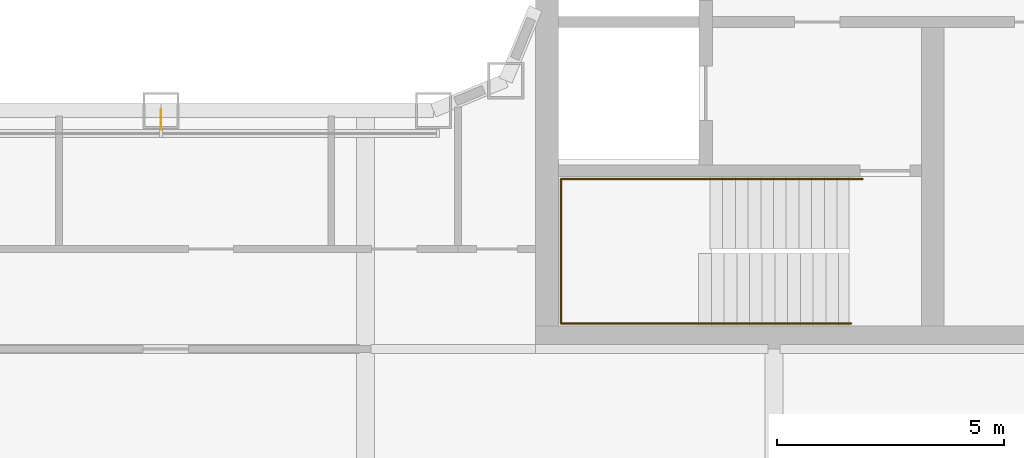
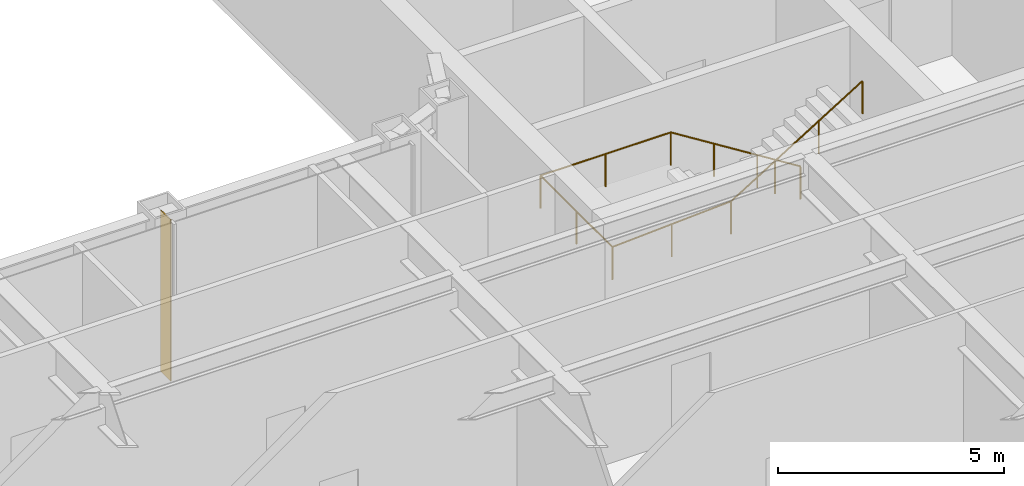
# One storey, part 24 of 28: 1 railing, 1 shading device.
"""IFC4 building model written with IfcOpenShell, lengths in metres."""

from ifc_helpers import new_model, si_unit, direction, frame, origin, origin_2d, place, context, subcontext, project, spatial, rectangle, circle, extrude, material, layer, layer_set, type_object, element, save


model = new_model("IFC4")

# Units and contexts
model_context = context("Model", 3, precision=1e-05, world=origin(), true_north=direction((0.0, 1.0)))
body_context = subcontext(model_context, "Body", "Model", "MODEL_VIEW")
ifc_project = project(units=[si_unit("LENGTHUNIT", "METRE"), si_unit("AREAUNIT", "SQUARE_METRE"), si_unit("VOLUMEUNIT", "CUBIC_METRE"), si_unit("PLANEANGLEUNIT", "RADIAN"), si_unit("MASSUNIT", "GRAM", prefix="KILO")], contexts=[model_context])

# Site, building, storey
site_placement = place(None, origin())
site = spatial("IfcSite", under=ifc_project, at=site_placement, CompositionType="ELEMENT")
building_placement = place(site_placement, origin())
building = spatial("IfcBuilding", under=site, at=building_placement, Name="Siwar Civic Tower", CompositionType="ELEMENT")
storey_placement = place(building_placement, frame((0.0, 0.0, 31.199951171875)))
storey = spatial("IfcBuildingStorey", under=building, at=storey_placement, Name="L06", CompositionType="ELEMENT", Elevation=31.199951171875)

# Railing
ifc_material_1 = material(Name="Stainless steel", Category="steel")
railing_type = type_object("IfcRailingType", Name="CORE-STAIR-HANDRAIL", PredefinedType="HANDRAIL", material=ifc_material_1)
railing_placement = place(storey_placement, frame((15.449951171875, -9.758056640625, 0.173095703125)))
element("IfcRailing", 1, at=railing_placement, inside=storey, type_object=railing_type, Name="Stair handrail ST4", PredefinedType="HANDRAIL", context=body_context, shape_type="SweptSolid", body=[
    extrude(circle(Radius=0.02001953125, at=origin_2d()), frame((0.0, 0.0, 0.8798828125), z_axis=(-0.847063342986, 0.0, 0.531491950051), x_axis=(0.0, -1.0, 0.0)), (0.0, 0.0, 1.0), 3.90771484375),
    extrude(circle(Radius=0.02001953125, at=origin_2d()), frame((-3.31005859375, 0.0, 2.956787109375), z_axis=(-1.0, 0.0, 0.0), x_axis=(0.0, -1.0, 0.0)), (0.0, 0.0, 1.0), 3.331787109375),
    extrude(circle(Radius=0.02001953125, at=origin_2d()), frame((-6.641845703125, 0.0, 2.956787109375), z_axis=(0.0, -1.0, 0.0), x_axis=(1.0, 0.0, 0.0)), (0.0, 0.0, 1.0), 3.183837890625),
    extrude(circle(Radius=0.02001953125, at=origin_2d()), frame((-6.641845703125, -3.183837890625, 2.956787109375), z_axis=(0.99837434197, 0.0, 0.056997134106), x_axis=(0.0, 1.0, 0.0)), (0.0, 0.0, 1.0), 3.036865234375),
    extrude(circle(Radius=0.02001953125, at=origin_2d()), frame((-3.60986328125, -3.183837890625, 3.1298828125), z_axis=(0.850606129759, 0.0, 0.525803396734), x_axis=(0.0, 1.0, 0.0)), (0.0, 0.0, 1.0), 3.949951171875),
    extrude(circle(Radius=0.02001953125, at=origin_2d()), origin(), (0.0, 0.0, 1.0), 0.85986328125),
    extrude(circle(Radius=0.02001953125, at=origin_2d()), frame((-1.103271484375, 0.0, 0.6923828125)), (0.0, 0.0, 1.0), 0.85986328125),
    extrude(circle(Radius=0.02001953125, at=origin_2d()), frame((-2.206787109375, 0.0, 1.384521484375)), (0.0, 0.0, 1.0), 0.85986328125),
    extrude(circle(Radius=0.02001953125, at=origin_2d()), frame((-3.31005859375, 0.0, 2.076904296875)), (0.0, 0.0, 1.0), 0.85986328125),
    extrude(circle(Radius=0.02001953125, at=origin_2d()), frame((-4.97607421875, 0.0, 2.076904296875)), (0.0, 0.0, 1.0), 0.85986328125),
    extrude(circle(Radius=0.02001953125, at=origin_2d()), frame((-6.641845703125, 0.0, 2.076904296875)), (0.0, 0.0, 1.0), 0.85986328125),
    extrude(circle(Radius=0.02001953125, at=origin_2d()), frame((-6.641845703125, -1.591796875, 2.076904296875)), (0.0, 0.0, 1.0), 0.85986328125),
    extrude(circle(Radius=0.02001953125, at=origin_2d()), frame((-6.641845703125, -3.183837890625, 2.076904296875)), (0.0, 0.0, 1.0), 0.85986328125),
    extrude(circle(Radius=0.02001953125, at=origin_2d()), frame((-5.1259765625, -3.183837890625, 2.16357421875)), (0.0, 0.0, 1.0), 0.85986328125),
    extrude(circle(Radius=0.02001953125, at=origin_2d()), frame((-3.60986328125, -3.183837890625, 2.25)), (0.0, 0.0, 1.0), 0.85986328125),
    extrude(circle(Radius=0.02001953125, at=origin_2d()), frame((-2.489990234375, -3.183837890625, 2.9423828125)), (0.0, 0.0, 1.0), 0.85986328125),
    extrude(circle(Radius=0.02001953125, at=origin_2d()), frame((-1.369873046875, -3.183837890625, 3.634521484375)), (0.0, 0.0, 1.0), 0.85986328125),
    extrude(circle(Radius=0.02001953125, at=origin_2d()), frame((-0.25, -3.183837890625, 4.326904296875)), (0.0, 0.0, 1.0), 0.85986328125),
])

# Shading device
ifc_material_2 = material(Name="Aluminium 6063-T6", Category="aluminium")
ifc_layer = layer(ifc_material_2, 0.02001953125)
ifc_layer_set = layer_set([ifc_layer], Name="Aluminium 6063-T6")
shading_device_type = type_object("IfcShadingDeviceType", Name="ENV-FIN", PredefinedType="JALOUSIE", material=ifc_layer_set)
shading_device_placement = place(storey_placement, frame((0.0, -8.445068359375, 0.0), z_axis=(0.0, 0.0, 1.0), x_axis=(1.0, 0.0, 0.0)))
element("IfcShadingDevice", 2, at=shading_device_placement, inside=storey, type_object=shading_device_type, Name="SUNSHADE fin WS 1", PredefinedType="JALOUSIE", context=body_context, shape_type="SweptSolid", body=[
    extrude(rectangle(XDim=0.02001953125, YDim=0.449951171875, at=origin_2d()), origin(), (0.0, 0.0, 1.0), 4.35009765625),
])

save(model, "model.ifc")
